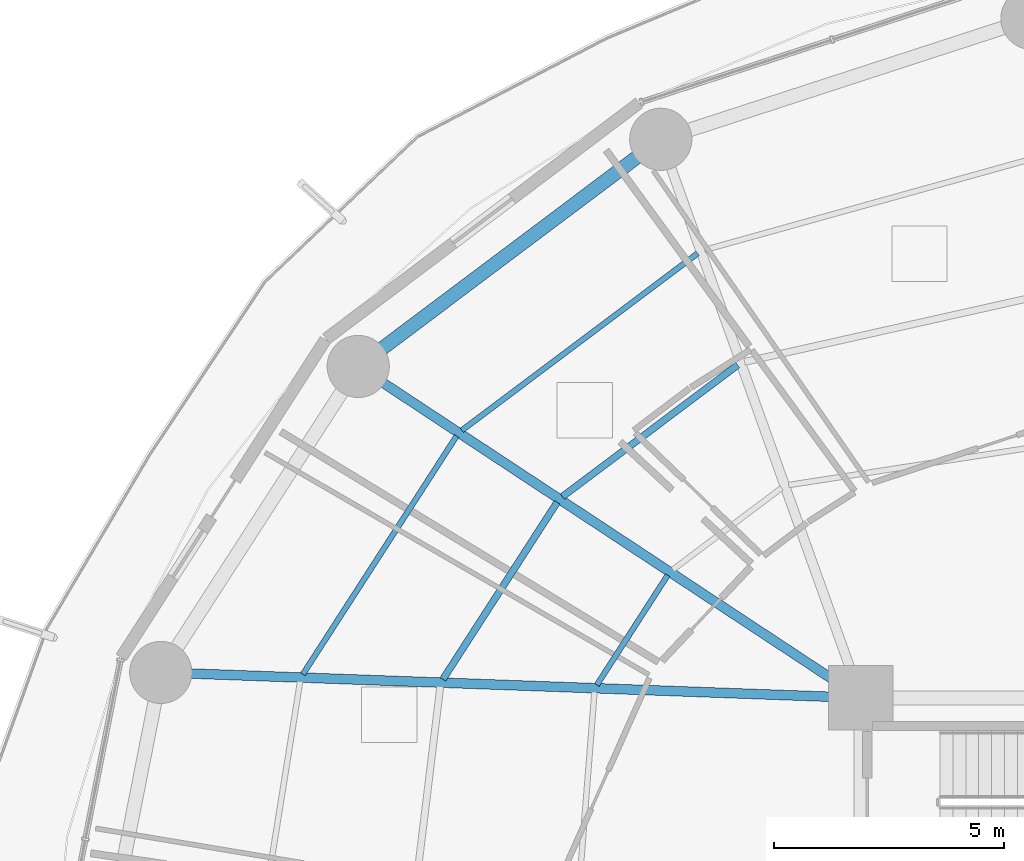
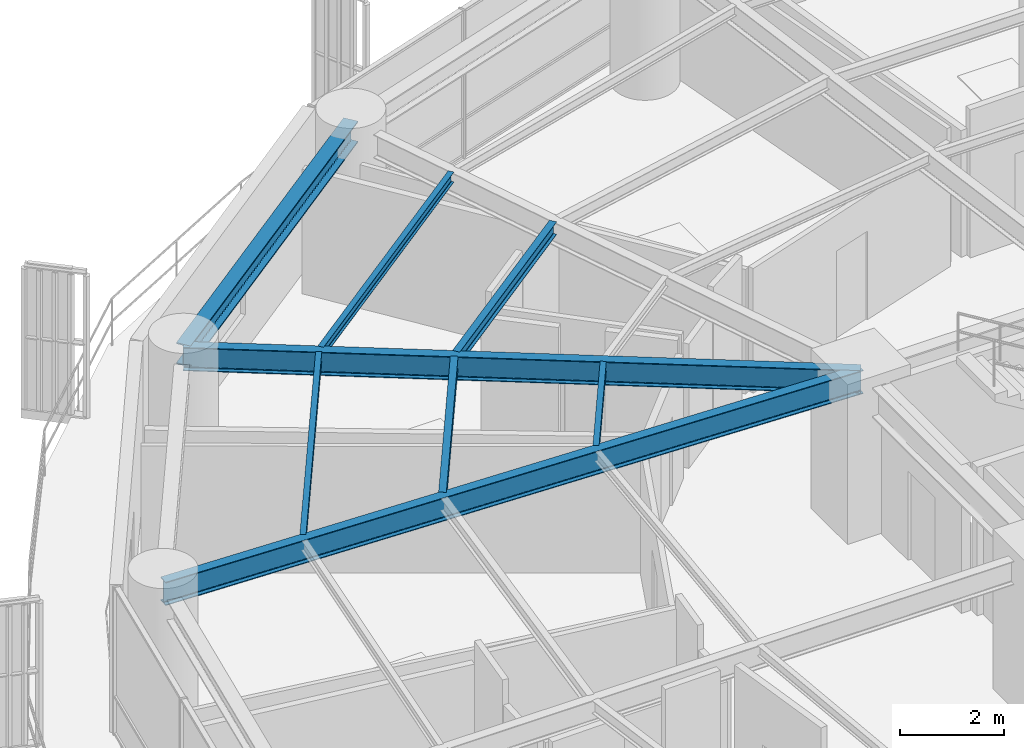
# One storey, part 18 of 35: 8 beams.
"""IFC4 building model written with IfcOpenShell, lengths in metres."""

from ifc_helpers import new_model, si_unit, direction, frame, origin, origin_2d, place, context, subcontext, project, spatial, i_section, extrude, material, material_profile, profile_set, type_object, element, save


model = new_model("IFC4")

# Units and contexts
model_context = context("Model", 3, precision=1e-05, world=origin(), true_north=direction((0.0, 1.0)))
body_context = subcontext(model_context, "Body", "Model", "MODEL_VIEW")
ifc_project = project(units=[si_unit("LENGTHUNIT", "METRE"), si_unit("AREAUNIT", "SQUARE_METRE"), si_unit("VOLUMEUNIT", "CUBIC_METRE"), si_unit("PLANEANGLEUNIT", "RADIAN"), si_unit("MASSUNIT", "GRAM", prefix="KILO")], contexts=[model_context])

# Site, building, storey
site_placement = place(None, origin())
site = spatial("IfcSite", under=ifc_project, at=site_placement, CompositionType="ELEMENT")
building_placement = place(site_placement, origin())
building = spatial("IfcBuilding", under=site, at=building_placement, Name="Kelanora Arch Commons", CompositionType="ELEMENT")
storey_placement = place(building_placement, frame((0.0, 0.0, 91.35009765625)))
storey = spatial("IfcBuildingStorey", under=building, at=storey_placement, Name="L23", CompositionType="ELEMENT", Elevation=91.35009765625)

# Beams
ifc_material = material(Name="Steel S355", Category="steel")
ifc_material_profile_1 = material_profile(ifc_material, i_section(OverallWidth=0.14990234375, OverallDepth=0.300048828125, WebThickness=0.007080078125, FlangeThickness=0.0107421875, FilletRadius=0.014892578125, at=origin_2d()), Name="IPE300")
ifc_profile_set_1 = profile_set([ifc_material_profile_1], Name="Steel S355")
beam_type_1 = type_object("IfcBeamType", Name="BM-JST-01", PredefinedType="JOIST", material=ifc_profile_set_1)
beam_1_placement = place(storey_placement, frame((63.327880859375, 72.22216796875, 3.33984375), z_axis=(-0.79971039107, -0.600385951214, 0.0), x_axis=(0.600385951214, -0.79971039107, 0.0)))
element("IfcBeam", 1, at=beam_1_placement, inside=storey, type_object=beam_type_1, Name="Secondary Chord Joist BJB-12 L23", PredefinedType="JOIST", context=body_context, shape_type="SweptSolid", body=[
    extrude(i_section(OverallWidth=0.14990234375, OverallDepth=0.300048828125, WebThickness=0.007080078125, FlangeThickness=0.0107421875, FilletRadius=0.014892578125, at=origin_2d()), origin(), (0.0, 0.0, 1.0), 4.756103515625),
])
beam_2_placement = place(storey_placement, frame((59.410400390625, 69.244384765625, 3.33984375), z_axis=(-0.542230243286, -0.840229946661, 0.0), x_axis=(0.840229946661, -0.542230243286, 0.0)))
element("IfcBeam", 2, at=beam_2_placement, inside=storey, type_object=beam_type_1, Name="Secondary Chord Joist BJB-14 L23", PredefinedType="JOIST", context=body_context, shape_type="SweptSolid", body=[
    extrude(i_section(OverallWidth=0.14990234375, OverallDepth=0.300048828125, WebThickness=0.007080078125, FlangeThickness=0.0107421875, FilletRadius=0.014892578125, at=origin_2d()), origin(), (0.0, 0.0, 1.0), 4.572265625),
])
ifc_material_profile_2 = material_profile(ifc_material, i_section(OverallWidth=0.1201171875, OverallDepth=0.239990234375, WebThickness=0.006103515625, FlangeThickness=0.009765625, FilletRadius=0.014892578125, at=origin_2d()), Name="IPE240")
ifc_profile_set_2 = profile_set([ifc_material_profile_2], Name="Steel S355")
beam_type_2 = type_object("IfcBeamType", Name="BM-JST-02", PredefinedType="JOIST", material=ifc_profile_set_2)
beam_3_placement = place(storey_placement, frame((62.4599609375, 74.646484375, 3.369873046875), z_axis=(-0.799734335646, -0.600354055861, 0.0), x_axis=(0.600354055861, -0.799734335646, 0.0)))
element("IfcBeam", 3, at=beam_3_placement, inside=storey, type_object=beam_type_2, Name="Secondary Chord Joist BJC-12 L23", PredefinedType="JOIST", context=body_context, shape_type="SweptSolid", body=[
    extrude(i_section(OverallWidth=0.1201171875, OverallDepth=0.239990234375, WebThickness=0.006103515625, FlangeThickness=0.009765625, FilletRadius=0.014892578125, at=origin_2d()), origin(), (0.0, 0.0, 1.0), 6.39794921875),
])
beam_4_placement = place(storey_placement, frame((61.8095703125, 67.661865234375, 3.369873046875), z_axis=(-0.542211255502, -0.840242199849, 0.0), x_axis=(0.840242199849, -0.542211255502, 0.0)))
element("IfcBeam", 4, at=beam_4_placement, inside=storey, type_object=beam_type_2, Name="Secondary Chord Joist BJA-14 L23", PredefinedType="JOIST", context=body_context, shape_type="SweptSolid", body=[
    extrude(i_section(OverallWidth=0.1201171875, OverallDepth=0.239990234375, WebThickness=0.006103515625, FlangeThickness=0.009765625, FilletRadius=0.014892578125, at=origin_2d()), origin(), (0.0, 0.0, 1.0), 2.83349609375),
])
beam_5_placement = place(storey_placement, frame((57.22900390625, 70.682861328125, 3.369873046875), z_axis=(-0.542212726273, -0.840241250754, 0.0), x_axis=(0.840241250754, -0.542212726273, 0.0)))
element("IfcBeam", 5, at=beam_5_placement, inside=storey, type_object=beam_type_2, Name="Secondary Chord Joist BJC-14 L23", PredefinedType="JOIST", context=body_context, shape_type="SweptSolid", body=[
    extrude(i_section(OverallWidth=0.1201171875, OverallDepth=0.239990234375, WebThickness=0.006103515625, FlangeThickness=0.009765625, FilletRadius=0.014892578125, at=origin_2d()), origin(), (0.0, 0.0, 1.0), 6.15283203125),
])
ifc_material_profile_3 = material_profile(ifc_material, i_section(OverallWidth=0.2099609375, OverallDepth=0.550048828125, WebThickness=0.010986328125, FlangeThickness=0.01708984375, FilletRadius=0.02392578125, at=origin_2d()), Name="IPE550")
ifc_profile_set_3 = profile_set([ifc_material_profile_3], Name="Steel S355")
beam_type_3 = type_object("IfcBeamType", Name="BM-RAD-Z2", PredefinedType="BEAM", material=ifc_profile_set_3)
beam_6_placement = place(storey_placement, frame((66.0, 65.0, 3.21484375), z_axis=(-0.834788577908, 0.550570640512, 0.0), x_axis=(-0.550570640512, -0.834788577908, 0.0)))
element("IfcBeam", 6, at=beam_6_placement, inside=storey, type_object=beam_type_3, Name="Radial Floor Girder BR-14 L23", PredefinedType="BEAM", context=body_context, shape_type="SweptSolid", body=[
    extrude(i_section(OverallWidth=0.2099609375, OverallDepth=0.550048828125, WebThickness=0.010986328125, FlangeThickness=0.01708984375, FilletRadius=0.02392578125, at=origin_2d()), origin(), (0.0, 0.0, 1.0), 13.064453125),
])
beam_7_placement = place(storey_placement, frame((66.0, 65.0, 3.21484375), z_axis=(-0.999341087625, 0.036295875581, 0.0), x_axis=(-0.036295875581, -0.999341087625, 0.0)))
element("IfcBeam", 7, at=beam_7_placement, inside=storey, type_object=beam_type_3, Name="Radial Floor Girder BR-16 L23", PredefinedType="BEAM", context=body_context, shape_type="SweptSolid", body=[
    extrude(i_section(OverallWidth=0.2099609375, OverallDepth=0.550048828125, WebThickness=0.010986328125, FlangeThickness=0.01708984375, FilletRadius=0.02392578125, at=origin_2d()), origin(), (0.0, 0.0, 1.0), 15.20166015625),
])
ifc_material_profile_4 = material_profile(ifc_material, i_section(OverallWidth=0.300048828125, OverallDepth=0.5, WebThickness=0.014404296875, FlangeThickness=0.028076171875, FilletRadius=0.027099609375, at=origin_2d()), Name="HEB500")
ifc_profile_set_4 = profile_set([ifc_material_profile_4], Name="Steel S355")
beam_type_4 = type_object("IfcBeamType", Name="BM-SPN-Z2", PredefinedType="SPANDREL", material=ifc_profile_set_4)
beam_8_placement = place(storey_placement, frame((61.659912109375, 77.121826171875, 3.239990234375), z_axis=(-0.799735861602, -0.600352023123, 0.0), x_axis=(0.600352023123, -0.799735861602, 0.0)))
element("IfcBeam", 8, at=beam_8_placement, inside=storey, type_object=beam_type_4, Name="Perimeter Spandrel Beam BS-12 L23", PredefinedType="SPANDREL", context=body_context, shape_type="SweptSolid", body=[
    extrude(i_section(OverallWidth=0.300048828125, OverallDepth=0.5, WebThickness=0.014404296875, FlangeThickness=0.028076171875, FilletRadius=0.027099609375, at=origin_2d()), origin(), (0.0, 0.0, 1.0), 8.210205078125),
])

save(model, "model.ifc")
